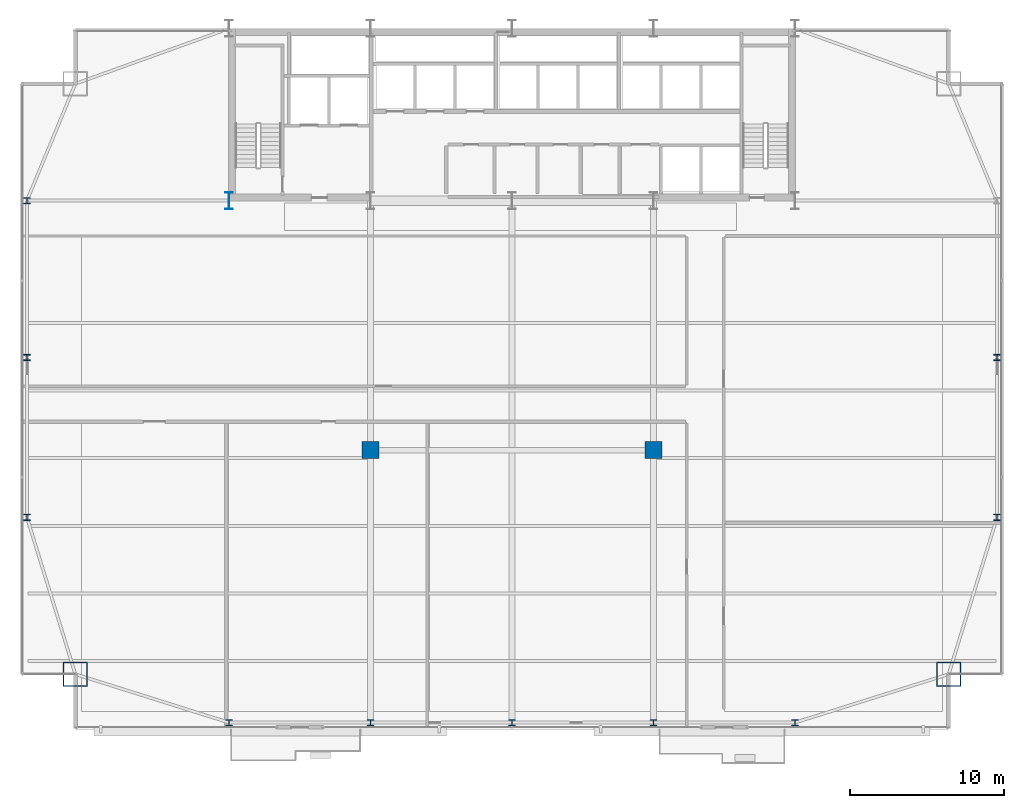
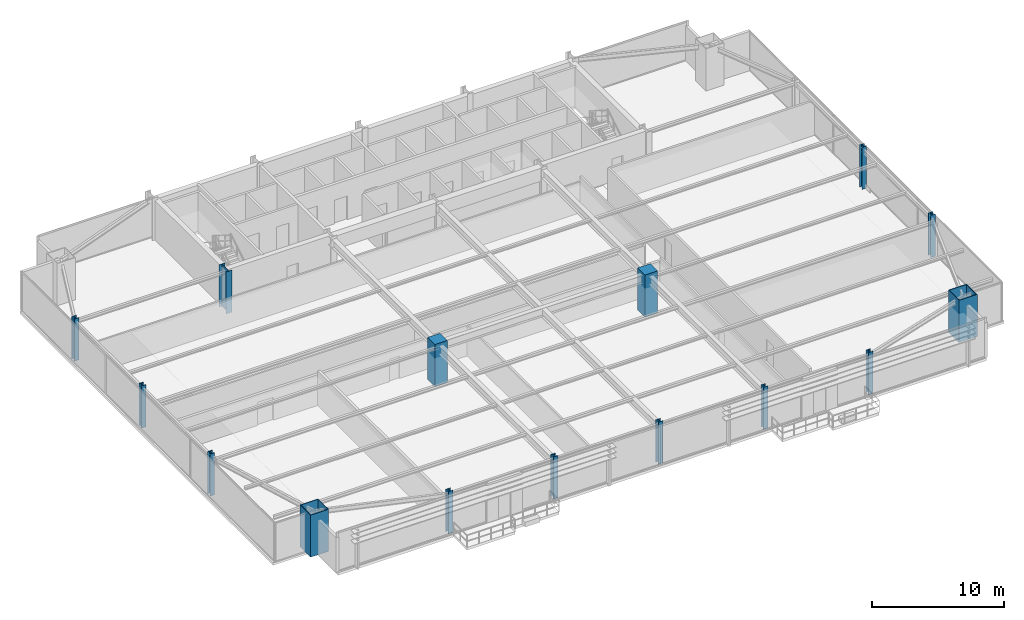
# One storey, part 1 of 31: 15 columns.
"""IFC4 building model written with IfcOpenShell, lengths in metres."""

from ifc_helpers import new_model, si_unit, direction, frame, origin, origin_2d, place, context, subcontext, project, spatial, rectangle, hollow_rectangle, i_section, extrude, source, transform, mapped, material, material_profile, profile_set, type_object, type_shapes, element, save


model = new_model("IFC4")

# Units and contexts
model_context = context("Model", 3, precision=1e-05, world=origin(), true_north=direction((0.0, 1.0)))
body_context = subcontext(model_context, "Body", "Model", "MODEL_VIEW")
ifc_project = project(units=[si_unit("LENGTHUNIT", "METRE"), si_unit("AREAUNIT", "SQUARE_METRE"), si_unit("VOLUMEUNIT", "CUBIC_METRE"), si_unit("PLANEANGLEUNIT", "RADIAN"), si_unit("MASSUNIT", "GRAM", prefix="KILO")], contexts=[model_context])

# Site, building, storey
site_placement = place(None, origin())
site = spatial("IfcSite", under=ifc_project, at=site_placement, CompositionType="ELEMENT")
building_placement = place(site_placement, origin())
building = spatial("IfcBuilding", under=site, at=building_placement, Name="Varnel Quay Broadcast Tower", CompositionType="ELEMENT")
storey_placement = place(building_placement, frame((0.0, 0.0, 51.0)))
storey = spatial("IfcBuildingStorey", under=building, at=storey_placement, Name="L11", CompositionType="ELEMENT", Elevation=51.0)

# Columns
ifc_material_1 = material(Name="Structural Steel CSA G40.21 350WT", Category="steel")
ifc_material_profile_1 = material_profile(ifc_material_1, i_section(OverallWidth=0.5, OverallDepth=1.10009765625, WebThickness=0.01806640625, FlangeThickness=0.031982421875, FilletRadius=0.01806640625, at=origin_2d()), Name="WWF1100X418")
ifc_profile_set_1 = profile_set([ifc_material_profile_1], Name="Structural Steel CSA G40.21 350WT")
column_type_1 = type_object("IfcColumnType", Name="Col_WWF1100X418", PredefinedType="COLUMN", material=ifc_profile_set_1)
shared_shape_1 = source(origin(), body_context, "Body", "SweptSolid", [
    extrude(i_section(OverallWidth=0.5, OverallDepth=1.10009765625, WebThickness=0.01806640625, FlangeThickness=0.031982421875, FilletRadius=0.01806640625, at=origin_2d()), origin(), (0.0, 0.0, 1.0), 3.89990234375),
])
type_shapes(column_type_1, [shared_shape_1])
column_placement = place(storey_placement, frame((15.60009765625, 35.60009765625, 0.0), z_axis=(0.0, 0.0, 1.0), x_axis=(1.0, 0.0, 0.0)))
element("IfcColumn", 1, at=column_placement, inside=storey, type_object=column_type_1, Name="L11 Column CC-S1", PredefinedType="COLUMN", context=body_context, shape_type="MappedRepresentation", body=[
    mapped(shared_shape_1, transform((0.0, 0.0, 0.0), x_axis=(1.0, 0.0, 0.0), y_axis=(0.0, 1.0, 0.0), z_axis=(0.0, 0.0, 1.0), scale=1.0)),
])
ifc_material_profile_2 = material_profile(ifc_material_1, hollow_rectangle(XDim=1.60009765625, YDim=1.60009765625, WallThickness=0.06005859375, at=origin_2d()), Name="BOX1600X1600X60")
ifc_profile_set_2 = profile_set([ifc_material_profile_2], Name="Structural Steel CSA G40.21 350WT")
column_type_2 = type_object("IfcColumnType", Name="Col_BOX1600X1600X60", PredefinedType="COLUMN", material=ifc_profile_set_2)
shared_shape_2 = source(origin(), body_context, "Body", "SweptSolid", [
    extrude(hollow_rectangle(XDim=1.60009765625, YDim=1.60009765625, WallThickness=0.06005859375, at=origin_2d()), origin(), (0.0, 0.0, 1.0), 3.89990234375),
])
type_shapes(column_type_2, [shared_shape_2])
for number, where, z_axis, x_axis, name in (
    (2, (5.60009765625, 4.800048828125, 0.0), (0.0, 0.0, 1.0), (1.0, 0.0, 0.0), "L11 Column MC-SW"),
    (3, (62.39990234375, 4.800048828125, 0.0), (0.0, 0.0, 1.0), (1.0, 0.0, 0.0), "L11 Column MC-SE"),
):
    element("IfcColumn", number, at=place(storey_placement, frame(where, z_axis=z_axis, x_axis=x_axis)), inside=storey, type_object=column_type_2, Name=name, PredefinedType="COLUMN", context=body_context, shape_type="MappedRepresentation", body=[
        mapped(shared_shape_2, transform((0.0, 0.0, 0.0), x_axis=(1.0, 0.0, 0.0), y_axis=(0.0, 1.0, 0.0), z_axis=(0.0, 0.0, 1.0), scale=1.0)),
    ])
ifc_material_2 = material(Name="Structural Steel CSA G40.21 350W", Category="steel")
ifc_material_profile_3 = material_profile(ifc_material_2, i_section(OverallWidth=0.404052734375, OverallDepth=0.406982421875, WebThickness=0.027099609375, FlangeThickness=0.043701171875, FilletRadius=0.01806640625, at=origin_2d()), Name="W360X347")
ifc_profile_set_3 = profile_set([ifc_material_profile_3], Name="Structural Steel CSA G40.21 350W")
column_type_3 = type_object("IfcColumnType", Name="Col_W360X347", PredefinedType="COLUMN", material=ifc_profile_set_3)
shared_shape_3 = source(origin(), body_context, "Body", "SweptSolid", [
    extrude(i_section(OverallWidth=0.404052734375, OverallDepth=0.406982421875, WebThickness=0.027099609375, FlangeThickness=0.043701171875, FilletRadius=0.01806640625, at=origin_2d()), origin(), (0.0, 0.0, 1.0), 3.89990234375),
])
type_shapes(column_type_3, [shared_shape_3])
for number, where, z_axis, x_axis, name in (
    (4, (15.60009765625, 1.64990234375, 0.0), (0.0, 0.0, 1.0), (1.0, 0.0, 0.0), "L11 Column TC-S1"),
    (5, (24.800048828125, 1.64990234375, 0.0), (0.0, 0.0, 1.0), (1.0, 0.0, 0.0), "L11 Column TC-S2"),
    (6, (34.0, 1.64990234375, 0.0), (0.0, 0.0, 1.0), (1.0, 0.0, 0.0), "L11 Column TC-S3"),
    (7, (43.199951171875, 1.64990234375, 0.0), (0.0, 0.0, 1.0), (1.0, 0.0, 0.0), "L11 Column TC-S4"),
    (8, (52.39990234375, 1.64990234375, 0.0), (0.0, 0.0, 1.0), (1.0, 0.0, 0.0), "L11 Column TC-S5"),
    (9, (2.449951171875, 15.0, 0.0), (0.0, 0.0, 1.0), (1.0, 0.0, 0.0), "L11 Column TC-W1"),
    (10, (65.550048828125, 15.0, 0.0), (0.0, 0.0, 1.0), (1.0, 0.0, 0.0), "L11 Column TC-E1"),
    (11, (2.449951171875, 25.39990234375, 0.0), (0.0, 0.0, 1.0), (1.0, 0.0, 0.0), "L11 Column TC-W2"),
    (12, (65.550048828125, 25.39990234375, 0.0), (0.0, 0.0, 1.0), (1.0, 0.0, 0.0), "L11 Column TC-E2"),
    (13, (2.449951171875, 35.60009765625, 0.0), (0.0, 0.0, 1.0), (1.0, 0.0, 0.0), "L11 Column TC-W3"),
):
    element("IfcColumn", number, at=place(storey_placement, frame(where, z_axis=z_axis, x_axis=x_axis)), inside=storey, type_object=column_type_3, Name=name, PredefinedType="COLUMN", context=body_context, shape_type="MappedRepresentation", body=[
        mapped(shared_shape_3, transform((0.0, 0.0, 0.0), x_axis=(1.0, 0.0, 0.0), y_axis=(0.0, 1.0, 0.0), z_axis=(0.0, 0.0, 1.0), scale=1.0)),
    ])
ifc_material_3 = material(Name="Concrete CSA A23.3 C60/75", Category="concrete")
ifc_material_profile_4 = material_profile(ifc_material_3, rectangle(XDim=1.10009765625, YDim=1.10009765625, at=origin_2d()), Name="RC1100X1100")
ifc_profile_set_4 = profile_set([ifc_material_profile_4], Name="Concrete CSA A23.3 C60/75")
column_type_4 = type_object("IfcColumnType", Name="Col_RC1100X1100", PredefinedType="COLUMN", material=ifc_profile_set_4)
shared_shape_4 = source(origin(), body_context, "Body", "SweptSolid", [
    extrude(rectangle(XDim=1.10009765625, YDim=1.10009765625, at=origin_2d()), origin(), (0.0, 0.0, 1.0), 3.89990234375),
])
type_shapes(column_type_4, [shared_shape_4])
for number, where, z_axis, x_axis, name in (
    (14, (24.800048828125, 19.3701171875, 0.0), (0.0, 0.0, 1.0), (1.0, 0.0, 0.0), "L11 Column IC-01"),
    (15, (43.199951171875, 19.3701171875, 0.0), (0.0, 0.0, 1.0), (1.0, 0.0, 0.0), "L11 Column IC-02"),
):
    element("IfcColumn", number, at=place(storey_placement, frame(where, z_axis=z_axis, x_axis=x_axis)), inside=storey, type_object=column_type_4, Name=name, PredefinedType="COLUMN", context=body_context, shape_type="MappedRepresentation", body=[
        mapped(shared_shape_4, transform((0.0, 0.0, 0.0), x_axis=(1.0, 0.0, 0.0), y_axis=(0.0, 1.0, 0.0), z_axis=(0.0, 0.0, 1.0), scale=1.0)),
    ])

save(model, "model.ifc")
